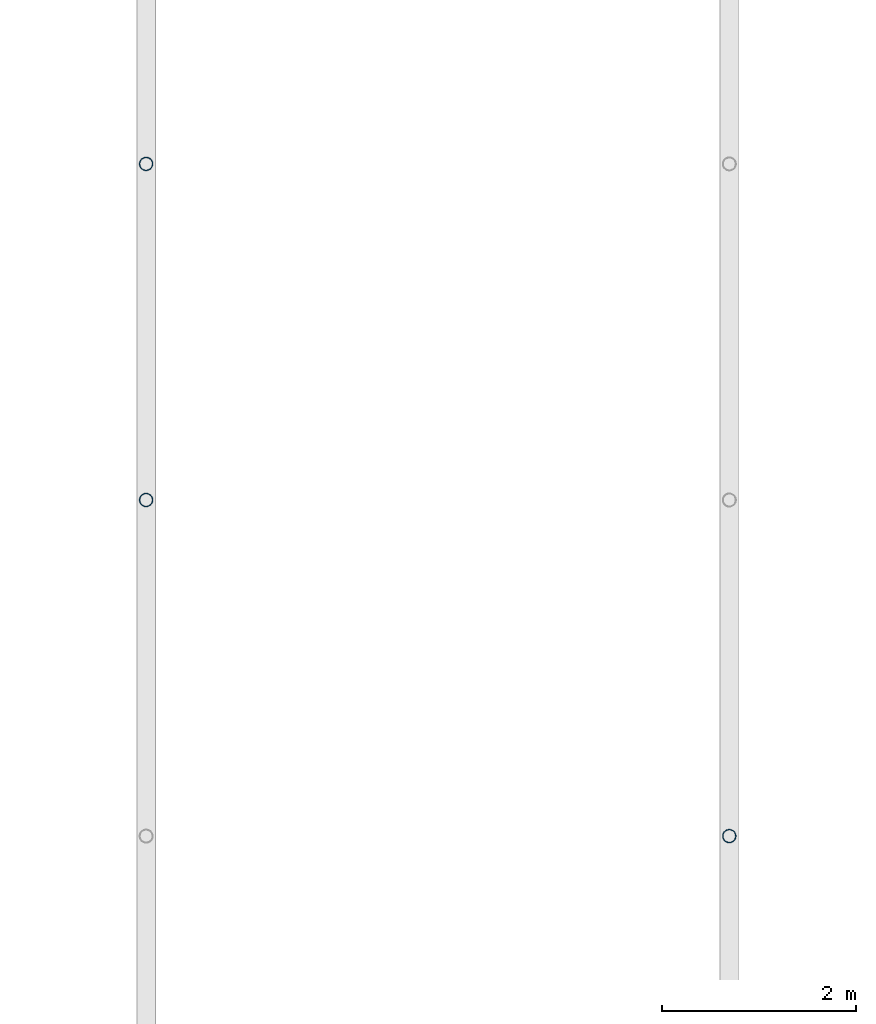
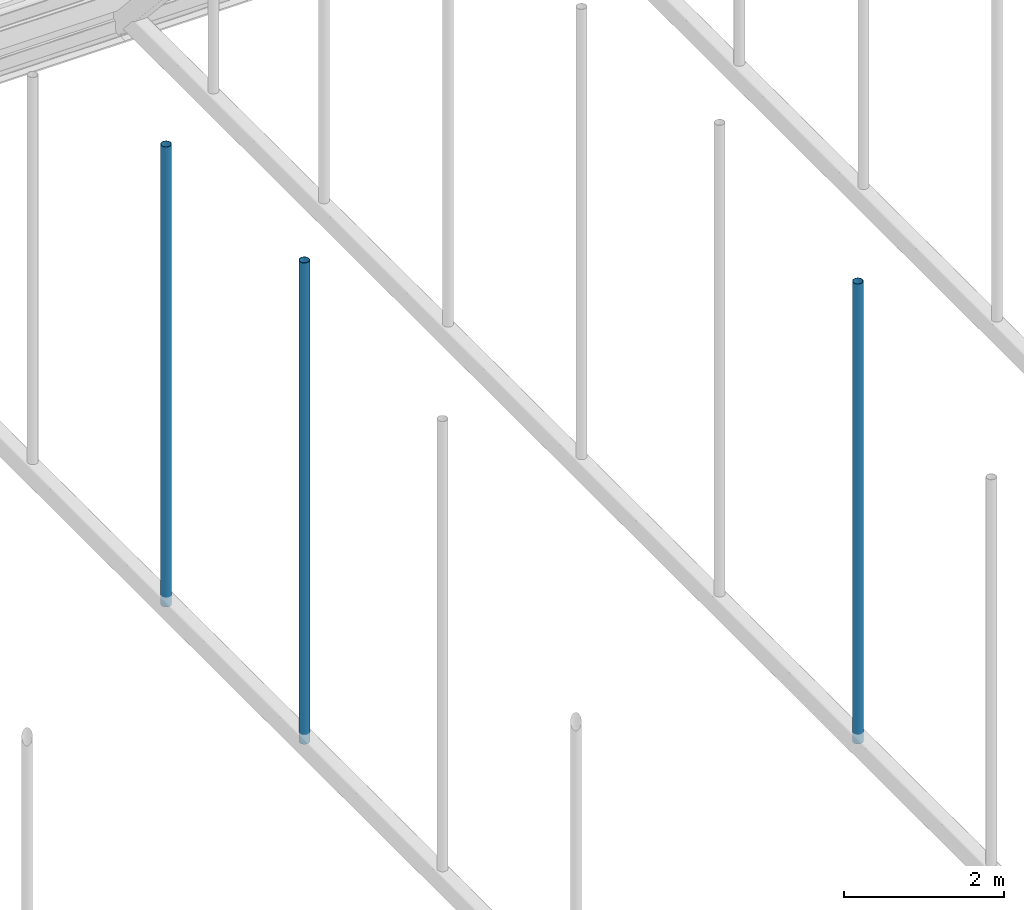
# One storey, part 28 of 63: 3 members.
"""IFC4 building model written with IfcOpenShell, lengths in metres."""

from ifc_helpers import new_model, si_unit, direction, frame, origin, origin_2d, place, context, subcontext, project, spatial, hollow_circle, extrude, material, material_profile, profile_set, type_object, element, save


model = new_model("IFC4")

# Units and contexts
model_context = context("Model", 3, precision=1e-05, world=origin(), true_north=direction((0.0, 1.0)))
body_context = subcontext(model_context, "Body", "Model", "MODEL_VIEW")
ifc_project = project(units=[si_unit("LENGTHUNIT", "METRE"), si_unit("AREAUNIT", "SQUARE_METRE"), si_unit("VOLUMEUNIT", "CUBIC_METRE"), si_unit("PLANEANGLEUNIT", "RADIAN"), si_unit("MASSUNIT", "GRAM", prefix="KILO")], contexts=[model_context])

# Site, building, storey
site_placement = place(None, origin())
site = spatial("IfcSite", under=ifc_project, at=site_placement, CompositionType="ELEMENT")
building_placement = place(site_placement, origin())
building = spatial("IfcBuilding", under=site, at=building_placement, Name="Varnakota Square Police Headquarters", CompositionType="ELEMENT")
storey_placement = place(building_placement, frame((0.0, 0.0, 22.199951171875)))
storey = spatial("IfcBuildingStorey", under=building, at=storey_placement, Name="L05", CompositionType="ELEMENT", Elevation=22.199951171875)

# Members
ifc_material = material(Name="Steel IS 2062 Grade 350", Category="steel")
ifc_material_profile = material_profile(ifc_material, hollow_circle(Radius=0.06982421875, WallThickness=0.006103515625, at=origin_2d()), Name="CHS 139.7x6.0")
ifc_profile_set = profile_set([ifc_material_profile], Name="Steel IS 2062 Grade 350")
member_type = type_object("IfcMemberType", Name="MEM-HNG-CHS139", PredefinedType="STRUT", material=ifc_profile_set)
member_placement = place(storey_placement, frame((72.0, 84.0, -0.14990234375), z_axis=(0.0, 0.0, 1.0), x_axis=(1.0, 0.0, 0.0)))
element("IfcMember", 1, at=member_placement, inside=storey, type_object=member_type, Name="Barrel vault hanger strut V2-R03-N5", PredefinedType="STRUT", context=body_context, shape_type="SweptSolid", body=[
    extrude(hollow_circle(Radius=0.06982421875, WallThickness=0.006103515625, at=origin_2d()), origin(), (0.0, 0.0, 1.0), 7.351318359375),
])
for number, where, z_axis, x_axis, name in (
    (2, (72.0, 87.45751953125, -0.14990234375), (0.0, 0.0, 1.0), (1.0, 0.0, 0.0), "Barrel vault hanger strut V2-R03-N6"),
    (3, (78.0, 80.54248046875, -0.14990234375), (0.0, 0.0, 1.0), (1.0, 0.0, 0.0), "Barrel vault hanger strut V2-R04-N4"),
):
    element("IfcMember", number, at=place(storey_placement, frame(where, z_axis=z_axis, x_axis=x_axis)), inside=storey, type_object=member_type, Name=name, PredefinedType="STRUT", context=body_context, shape_type="SweptSolid", body=[
        extrude(hollow_circle(Radius=0.06982421875, WallThickness=0.006103515625, at=origin_2d()), origin(), (0.0, 0.0, 1.0), 7.02490234375),
    ])

save(model, "model.ifc")
